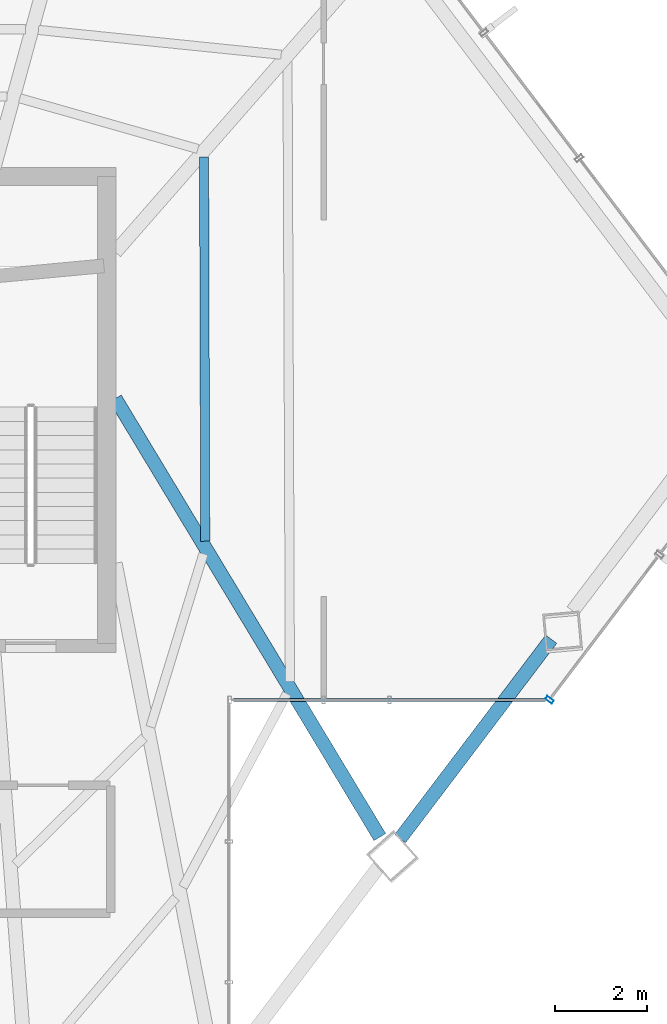
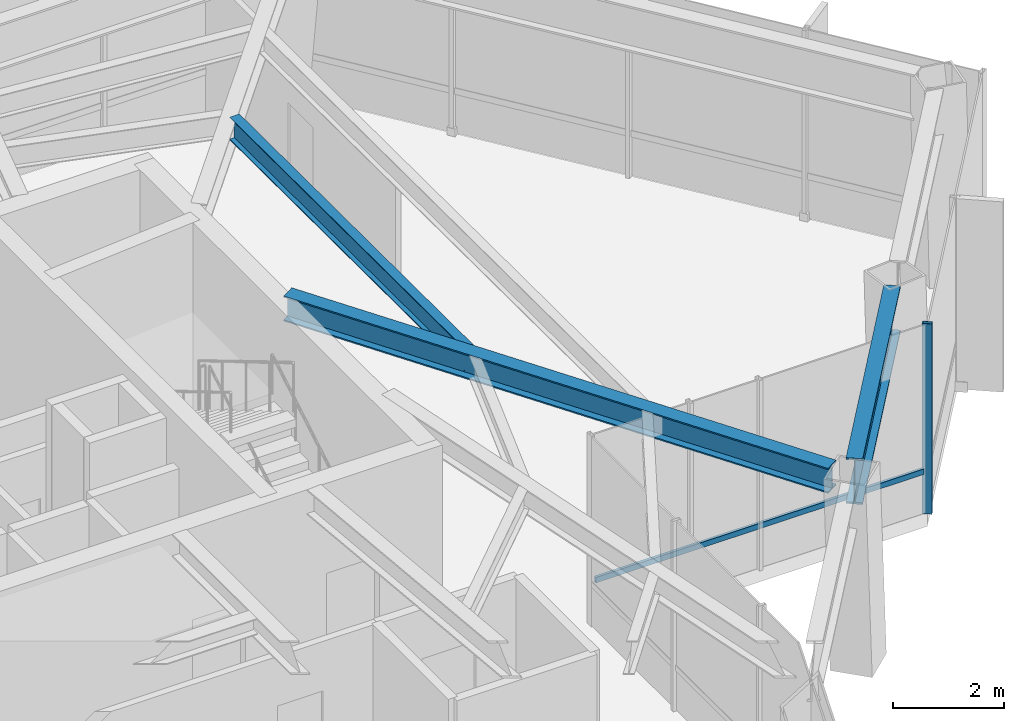
# One storey, part 17 of 25: 3 beams, 2 members, 2 elements without a shape of their own.
"""IFC4 building model written with IfcOpenShell, lengths in metres."""

import ifcopenshell
import ifcopenshell.guid

model = None  # the IFC model being written
_history = None  # IfcOwnerHistory: only IFC2X3 demands one
_inside = {}  # id of a spatial element -> (the spatial element, [elements in it])
_under = {}  # id of a project, library or spatial element -> (it, [spatial elements below it])
_declared = {}  # id of a project -> (the project, [libraries it declares])
_typed = {}  # id of a type object -> (the type object, [elements of that type])
_made_of = {}  # id of a material, layer set ... -> (it, [elements and type objects made of it])


def new_model(schema):
    """Start an empty IFC model of exactly this schema.

    Asked for "IFC4X3", IfcOpenShell would pick the latest addendum, in which some entities
    have other attributes; the version numbers below select the first issue.
    IFC2X3 requires an IfcOwnerHistory on every rooted entity: one is made here for all.
    """
    global model, _history
    if schema == "IFC4X3":
        model = ifcopenshell.file(schema_version=(4, 3, 0, 0))
    else:
        model = ifcopenshell.file(schema=schema)
    _inside.clear()
    _under.clear()
    _declared.clear()
    _typed.clear()
    _made_of.clear()
    _history = None
    if model.schema == "IFC2X3":
        org = make("IfcOrganization", Name="unknown")
        user = make(
            "IfcPersonAndOrganization",
            ThePerson=make("IfcPerson", FamilyName="unknown"),
            TheOrganization=org,
        )
        app = make(
            "IfcApplication",
            ApplicationDeveloper=org,
            Version="unknown",
            ApplicationFullName="unknown",
            ApplicationIdentifier="unknown",
        )
        _history = make(
            "IfcOwnerHistory",
            OwningUser=user,
            OwningApplication=app,
            ChangeAction="ADDED",
            CreationDate=0,
        )
    return model


def make(cls, **values):
    """One entity of the class cls with the attributes given. An attribute that is None is left unset."""
    return model.create_entity(
        cls, **{name: value for name, value in values.items() if value is not None}
    )


def rooted(cls, **values):
    """An entity with a GlobalId (a new one), such as an element, a storey or a relation."""
    return make(cls, GlobalId=ifcopenshell.guid.new(), OwnerHistory=_history, **values)


def si_unit(unit_type, name, prefix=None):
    """IfcSIUnit, for example si_unit("LENGTHUNIT", "METRE", prefix="MILLI")."""
    return make("IfcSIUnit", UnitType=unit_type, Prefix=prefix, Name=name)


def assignment(units):
    """IfcUnitAssignment: the units of a project."""
    return None if units is None else make("IfcUnitAssignment", Units=units)


def point(xyz):
    """IfcCartesianPoint."""
    return None if xyz is None else make("IfcCartesianPoint", Coordinates=xyz)


def direction(xyz):
    """IfcDirection."""
    return None if xyz is None else make("IfcDirection", DirectionRatios=xyz)


def frame(location, z_axis=None, x_axis=None):
    """IfcAxis2Placement3D, a coordinate frame: its origin and axes. An axis left out is left unset."""
    return make(
        "IfcAxis2Placement3D",
        Location=point(location),
        Axis=direction(z_axis),
        RefDirection=direction(x_axis),
    )


def frame_2d(location, x_axis=None):
    """IfcAxis2Placement2D, a coordinate frame in the plane: its origin and x axis."""
    return make(
        "IfcAxis2Placement2D", Location=point(location), RefDirection=direction(x_axis)
    )


def origin():
    """The frame at (0, 0, 0) with its axes left unset."""
    return frame((0.0, 0.0, 0.0))


def origin_2d():
    """The frame at (0, 0) in the plane with its x axis left unset."""
    return frame_2d((0.0, 0.0))


def place(relative_to, where):
    """IfcLocalPlacement: puts the frame where relative to a parent placement (None: the world)."""
    return make(
        "IfcLocalPlacement", PlacementRelTo=relative_to, RelativePlacement=where
    )


def context(
    kind, dimensions, precision=None, world=None, true_north=None, identifier=None
):
    """IfcGeometricRepresentationContext, for example the 3D "Model" context."""
    return make(
        "IfcGeometricRepresentationContext",
        ContextIdentifier=identifier,
        ContextType=kind,
        CoordinateSpaceDimension=dimensions,
        Precision=precision,
        WorldCoordinateSystem=world,
        TrueNorth=true_north,
    )


def subcontext(parent, identifier, kind, view, scale=None):
    """IfcGeometricRepresentationSubContext, for example "Body" below "Model"."""
    return make(
        "IfcGeometricRepresentationSubContext",
        ContextIdentifier=identifier,
        ContextType=kind,
        ParentContext=parent,
        TargetScale=scale,
        TargetView=view,
    )


def project(units=None, contexts=None):
    """IfcProject with its units and contexts."""
    return rooted(
        "IfcProject",
        Name="project",
        RepresentationContexts=contexts,
        UnitsInContext=assignment(units),
    )


def spatial(cls, under=None, at=None, **own):
    """A site, building, storey or space (cls), placed at a placement, below another one or the project."""
    s = rooted(cls, ObjectPlacement=at, **own)
    if under is not None:
        _under.setdefault(under.id(), (under, []))[1].append(s)
    return s


def profile(cls, at=None, kind="AREA", **sizes):
    """A parametric profile (cls). Its sizes go by their IFC names, for example OverallWidth=200.0."""
    return make(cls, ProfileType=kind, Position=at, **sizes)


def hollow_rectangle(**sizes):
    """IfcRectangleHollowProfileDef."""
    return profile("IfcRectangleHollowProfileDef", **sizes)


def i_section(**sizes):
    """IfcIShapeProfileDef."""
    return profile("IfcIShapeProfileDef", **sizes)


def extrude(swept, where, along, depth):
    """IfcExtrudedAreaSolid: the profile swept, set in the frame where, extruded along a direction by depth."""
    return make(
        "IfcExtrudedAreaSolid",
        SweptArea=swept,
        Position=where,
        ExtrudedDirection=direction(along),
        Depth=depth,
    )


def shape(context_of_items, identifier, shape_type, items):
    """IfcShapeRepresentation: the items that make up one representation, for example the "Body"."""
    return make(
        "IfcShapeRepresentation",
        ContextOfItems=context_of_items,
        RepresentationIdentifier=identifier,
        RepresentationType=shape_type,
        Items=items,
    )


def material(Name=None, Category=None):
    """IfcMaterial."""
    return make("IfcMaterial", Name=Name, Category=Category)


def layer(
    of_material, thickness, ventilated=None, Name=None, Category=None, Priority=None
):
    """IfcMaterialLayer: one layer of a wall or slab, of a material (None: an air gap)."""
    return make(
        "IfcMaterialLayer",
        Material=of_material,
        LayerThickness=thickness,
        IsVentilated=ventilated,
        Name=Name,
        Category=Category,
        Priority=Priority,
    )


def layer_set(layers, Name=None):
    """IfcMaterialLayerSet."""
    return make("IfcMaterialLayerSet", MaterialLayers=layers, LayerSetName=Name)


def material_profile(
    of_material, cross_section, Name=None, Category=None, Priority=None
):
    """IfcMaterialProfile: a cross section and its material."""
    return make(
        "IfcMaterialProfile",
        Name=Name,
        Material=of_material,
        Profile=cross_section,
        Priority=Priority,
        Category=Category,
    )


def profile_set(profiles, Name=None, composite=None):
    """IfcMaterialProfileSet."""
    return make(
        "IfcMaterialProfileSet",
        Name=Name,
        MaterialProfiles=profiles,
        CompositeProfile=composite,
    )


def made_of(thing, what):
    """Note that an element or type object is made of a material, layer set ...; save() writes the relation."""
    if what is not None:
        _made_of.setdefault(what.id(), (what, []))[1].append(thing)
    return thing


def type_object(cls, material=None, **own):
    """A type object (cls), such as IfcWallType, which elements share."""
    return made_of(rooted(cls, **own), material)


def element(
    cls,
    number,
    at=None,
    inside=None,
    cuts=None,
    type_object=None,
    material=None,
    context=None,
    identifier="Body",
    shape_type=None,
    held_by="IfcProductDefinitionShape",
    body=None,
    shapes=None,
    **own,
):
    """One element of the class cls, such as IfcWall. Its Tag is "e" and its number.

    at: its placement. inside: the storey or other place that contains it. cuts: it is an
    opening in that element (IfcRelVoidsElement). A single representation is given by context,
    identifier, shape_type and body (its items); several are given by shapes. held_by: the class
    of the entity that holds the representations. save() writes the other relations.
    """
    e = rooted(cls, Tag="e%d" % number, ObjectPlacement=at, **own)
    if body is not None:
        shapes = [shape(context, identifier, shape_type, body)]
    if shapes is not None:
        e.Representation = make(held_by, Representations=shapes)
    if inside is not None:
        _inside.setdefault(inside.id(), (inside, []))[1].append(e)
    if cuts is not None:
        rooted(
            "IfcRelVoidsElement", RelatingBuildingElement=cuts, RelatedOpeningElement=e
        )
    if type_object is not None:
        _typed.setdefault(type_object.id(), (type_object, []))[1].append(e)
    return made_of(e, material)


def aggregate(whole, parts):
    """IfcRelAggregates: a whole, such as a stair, and the parts it consists of."""
    return rooted("IfcRelAggregates", RelatingObject=whole, RelatedObjects=parts)


def save(model, path):
    """Write the relations noted so far, then the file.

    IfcRelAggregates (storeys below a building ...), IfcRelContainedInSpatialStructure (elements
    in a storey), IfcRelDefinesByType, IfcRelAssociatesMaterial and IfcRelDeclares: one each for
    every whole, place, type object, material and project.
    """
    for whole, parts in _under.values():
        aggregate(whole, parts)
    for where, things in _inside.values():
        rooted(
            "IfcRelContainedInSpatialStructure",
            RelatedElements=things,
            RelatingStructure=where,
        )
    for kind, things in _typed.values():
        rooted("IfcRelDefinesByType", RelatedObjects=things, RelatingType=kind)
    for what, things in _made_of.values():
        rooted("IfcRelAssociatesMaterial", RelatedObjects=things, RelatingMaterial=what)
    for by, libraries in _declared.values():
        rooted("IfcRelDeclares", RelatingContext=by, RelatedDefinitions=libraries)
    model.write(path)


model = new_model("IFC4")

# Units and contexts
model_context = context("Model", 3, precision=1e-05, world=origin(), true_north=direction((0.0, 1.0)))
body_context = subcontext(model_context, "Body", "Model", "MODEL_VIEW")
ifc_project = project(units=[si_unit("LENGTHUNIT", "METRE"), si_unit("AREAUNIT", "SQUARE_METRE"), si_unit("VOLUMEUNIT", "CUBIC_METRE"), si_unit("PLANEANGLEUNIT", "RADIAN"), si_unit("MASSUNIT", "GRAM", prefix="KILO")], contexts=[model_context])

# Site, building, storey
site_placement = place(None, origin())
site = spatial("IfcSite", under=ifc_project, at=site_placement, CompositionType="ELEMENT")
building_placement = place(site_placement, origin())
building = spatial("IfcBuilding", under=site, at=building_placement, Name="Zarrinselat Tower", CompositionType="ELEMENT")
storey_placement = place(building_placement, frame((0.0, 0.0, 119.0)))
storey = spatial("IfcBuildingStorey", under=building, at=storey_placement, Name="L28", CompositionType="ELEMENT", Elevation=119.0)

# Beams
ifc_material_1 = material(Name="Steel S355J2", Category="steel")
ifc_material_profile_1 = material_profile(ifc_material_1, i_section(OverallWidth=0.300048828125, OverallDepth=0.550048828125, WebThickness=0.014892578125, FlangeThickness=0.029052734375, at=origin_2d()), Name="HEB 550")
ifc_profile_set_1 = profile_set([ifc_material_profile_1], Name="Steel S355J2")
beam_type_1 = type_object("IfcBeamType", Name="BM-HEB550", PredefinedType="BEAM", material=ifc_profile_set_1)
beam_1_placement = place(storey_placement, frame((48.449951171875, 38.60009765625, 3.905029296875), z_axis=(0.516496217024, -0.856289470798, 0.0), x_axis=(0.856289470798, 0.516496217024, 0.0)))
element("IfcBeam", 1, at=beam_1_placement, inside=storey, type_object=beam_type_1, Name="L28 Radial Primary Girder RG13", PredefinedType="BEAM", context=body_context, shape_type="SweptSolid", body=[
    extrude(i_section(OverallWidth=0.300048828125, OverallDepth=0.550048828125, WebThickness=0.014892578125, FlangeThickness=0.029052734375, at=origin_2d()), origin(), (0.0, 0.0, 1.0), 11.19140625),
])
ifc_material_2 = material(Name="Steel S460M", Category="steel")
ifc_material_profile_2 = material_profile(ifc_material_2, i_section(OverallWidth=0.302001953125, OverallDepth=1.008056640625, WebThickness=0.02099609375, FlangeThickness=0.0400390625, at=origin_2d()), Name="HEM 1000")
ifc_profile_set_2 = profile_set([ifc_material_profile_2], Name="Steel S460M")
beam_type_2 = type_object("IfcBeamType", Name="BM-HEM1000", PredefinedType="BEAM", material=ifc_profile_set_2)
beam_2_placement = place(storey_placement, frame((54.672119140625, 28.982177734375, 3.676025390625), z_axis=(0.603856828579, 0.797092799226, 0.0), x_axis=(-0.797092799226, 0.603856828579, 0.0)))
element("IfcBeam", 2, at=beam_2_placement, inside=storey, type_object=beam_type_2, Name="L28 Perimeter Spandrel Girder SP13", PredefinedType="BEAM", context=body_context, shape_type="SweptSolid", body=[
    extrude(i_section(OverallWidth=0.302001953125, OverallDepth=1.008056640625, WebThickness=0.02099609375, FlangeThickness=0.0400390625, at=origin_2d()), origin(), (0.0, 0.0, 1.0), 5.469482421875),
])
ifc_material_3 = material(Name="Steel S355J2", Category="steel")
ifc_material_profile_3 = material_profile(ifc_material_3, i_section(OverallWidth=0.199951171875, OverallDepth=0.5, WebThickness=0.01025390625, FlangeThickness=0.01611328125, at=origin_2d()), Name="IPE 500")
ifc_profile_set_3 = profile_set([ifc_material_profile_3], Name="Steel S355J2")
beam_type_3 = type_object("IfcBeamType", Name="BM-IPE500", PredefinedType="JOIST", material=ifc_profile_set_3)
beam_3_placement = place(storey_placement, frame((50.388427734375, 43.874755859375, 3.929931640625), z_axis=(0.003141528508, -0.999995065387, 0.0), x_axis=(0.999995065387, 0.003141528508, 0.0)))
element("IfcBeam", 3, at=beam_3_placement, inside=storey, type_object=beam_type_3, Name="L28 Composite Floor Joist 5-2", PredefinedType="JOIST", context=body_context, shape_type="SweptSolid", body=[
    extrude(i_section(OverallWidth=0.199951171875, OverallDepth=0.5, WebThickness=0.01025390625, FlangeThickness=0.01611328125, at=origin_2d()), origin(), (0.0, 0.0, 1.0), 8.39306640625),
])

# Curtain wall, member
ifc_material_4 = material(Name="Extruded Aluminium Alloy EN AW-6063 T6", Category="aluminium")
ifc_layer_1 = layer(ifc_material_4, 0.195068359375)
ifc_layer_set_1 = layer_set([ifc_layer_1], Name="Extruded Aluminium Alloy EN AW-6063 T6")
curtain_wall_type_1 = type_object("IfcCurtainWallType", Name="CWS-GDN", PredefinedType="NOTDEFINED", material=ifc_layer_set_1)
curtain_wall_1_placement = place(storey_placement, origin())
curtain_wall_1 = element("IfcCurtainWall", 4, at=curtain_wall_1_placement, inside=storey, type_object=curtain_wall_type_1, Name="L28 Unitised Curtain Wall CW-L28-E06", PredefinedType="NOTDEFINED")
ifc_material_5 = material(Name="Extruded Aluminium Alloy EN AW-6063 T6", Category="aluminium")
ifc_material_profile_4 = material_profile(ifc_material_5, hollow_rectangle(XDim=0.080078125, YDim=0.179931640625, WallThickness=0.0048828125, at=origin_2d()), Name="RHS 180x80x5")
ifc_profile_set_4 = profile_set([ifc_material_profile_4], Name="Extruded Aluminium Alloy EN AW-6063 T6")
member_type_1 = type_object("IfcMemberType", Name="MEM-CW-MUL", PredefinedType="MULLION", material=ifc_profile_set_4)
member_1_placement = place(storey_placement, frame((57.9384765625, 32.014892578125, 0.0), z_axis=(0.0, 0.0, 1.0), x_axis=(-0.60386042105, -0.79709007765, 0.0)))
member_1 = element("IfcMember", 5, at=member_1_placement, type_object=member_type_1, Name="CW-L28-E06 Mullion 2", PredefinedType="MULLION", context=body_context, shape_type="SweptSolid", body=[
    extrude(hollow_rectangle(XDim=0.080078125, YDim=0.179931640625, WallThickness=0.0048828125, at=origin_2d()), origin(), (0.0, 0.0, 1.0), 4.179931640625),
])
aggregate(curtain_wall_1, [member_1])

ifc_material_6 = material(Name="Extruded Aluminium Alloy EN AW-6063 T6", Category="aluminium")
ifc_layer_2 = layer(ifc_material_6, 0.18994140625)
ifc_layer_set_2 = layer_set([ifc_layer_2], Name="Extruded Aluminium Alloy EN AW-6063 T6")
curtain_wall_type_2 = type_object("IfcCurtainWallType", Name="CWS-SG", PredefinedType="NOTDEFINED", material=ifc_layer_set_2)
curtain_wall_2_placement = place(storey_placement, origin())
curtain_wall_2 = element("IfcCurtainWall", 6, at=curtain_wall_2_placement, inside=storey, type_object=curtain_wall_type_2, Name="L28 Unitised Curtain Wall CW-L28-E07", PredefinedType="NOTDEFINED")
ifc_material_7 = material(Name="Extruded Aluminium Alloy EN AW-6063 T6", Category="aluminium")
ifc_material_profile_5 = material_profile(ifc_material_7, hollow_rectangle(XDim=0.06005859375, YDim=0.1201171875, WallThickness=0.00390625, at=origin_2d()), Name="RHS 120x60x4")
ifc_profile_set_5 = profile_set([ifc_material_profile_5], Name="Extruded Aluminium Alloy EN AW-6063 T6")
member_type_2 = type_object("IfcMemberType", Name="MEM-CW-TRN2", PredefinedType="USERDEFINED", material=ifc_profile_set_5)
member_2_placement = place(storey_placement, frame((57.848388671875, 32.014892578125, 0.949951171875), z_axis=(-1.0, 0.0, 0.0), x_axis=(0.0, -1.0, 0.0)))
member_2 = element("IfcMember", 7, at=member_2_placement, type_object=member_type_2, Name="CW-L28-E07 Transom 1", ObjectType="TRANSOM", PredefinedType="USERDEFINED", context=body_context, shape_type="SweptSolid", body=[
    extrude(hollow_rectangle(XDim=0.06005859375, YDim=0.1201171875, WallThickness=0.00390625, at=origin_2d()), origin(), (0.0, 0.0, 1.0), 6.811767578125),
])
aggregate(curtain_wall_2, [member_2])

save(model, "model.ifc")
